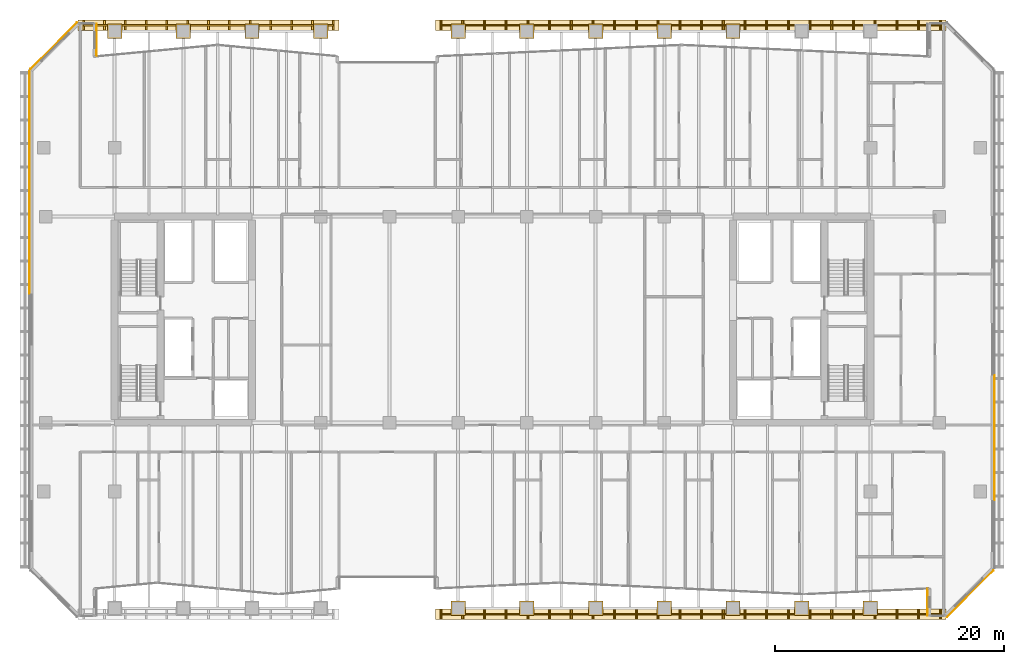
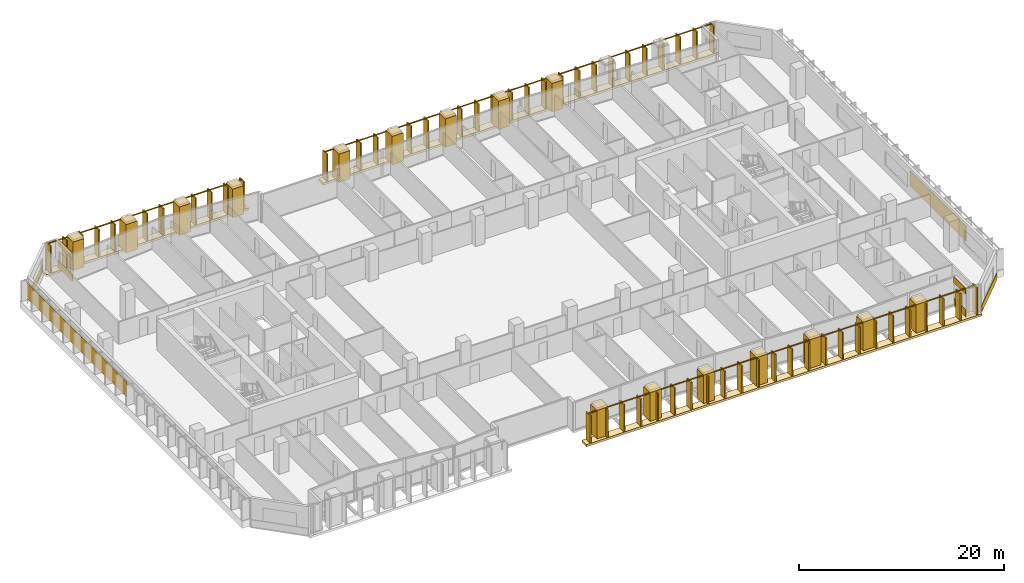
# One storey, part 30 of 32: 27 coverings, 3 railings.
"""IFC4 building model written with IfcOpenShell, lengths in metres."""

from ifc_helpers import new_model, si_unit, direction, frame, origin, origin_2d, place, context, subcontext, project, spatial, rectangle, extrude, material, layer, layer_set, type_object, element, save


model = new_model("IFC4")

# Units and contexts
model_context = context("Model", 3, precision=1e-05, world=origin(), true_north=direction((0.0, 1.0)))
body_context = subcontext(model_context, "Body", "Model", "MODEL_VIEW")
ifc_project = project(units=[si_unit("LENGTHUNIT", "METRE"), si_unit("AREAUNIT", "SQUARE_METRE"), si_unit("VOLUMEUNIT", "CUBIC_METRE"), si_unit("PLANEANGLEUNIT", "RADIAN"), si_unit("MASSUNIT", "GRAM", prefix="KILO")], contexts=[model_context])

# Site, building, storey
site_placement = place(None, origin())
site = spatial("IfcSite", under=ifc_project, at=site_placement, CompositionType="ELEMENT")
building_placement = place(site_placement, origin())
building = spatial("IfcBuilding", under=site, at=building_placement, Name="Tanjung Sevakor Pilgrim Tower", CompositionType="ELEMENT")
storey_placement = place(building_placement, frame((0.0, 0.0, 62.3701171875)))
storey = spatial("IfcBuildingStorey", under=building, at=storey_placement, Name="L17", CompositionType="ELEMENT", Elevation=62.3701171875)

# Coverings
ifc_material_1 = material(Name="Reconstructed Limestone Cladding", Category="masonry")
ifc_layer = layer(ifc_material_1, 0.044921875)
ifc_layer_set = layer_set([ifc_layer], Name="COV-CLAD-LIMESTONE")
covering_type = type_object("IfcCoveringType", Name="COV-CLAD-LIMESTONE", PredefinedType="CLADDING", material=ifc_layer_set)
covering_1_placement = place(storey_placement, frame((94.9775390625, 8.933349609375, 0.009765625), z_axis=(0.0, 0.0, 1.0), x_axis=(0.0, -1.0, 0.0)))
element("IfcCovering", 1, at=covering_1_placement, inside=storey, type_object=covering_type, Name="L17 Warm Limestone Sill Spandrel EW-L17-MAIN-14-1", PredefinedType="CLADDING", context=body_context, shape_type="SweptSolid", body=[
    extrude(rectangle(XDim=2.306640625, YDim=0.044921875, at=origin_2d()), origin(), (0.0, 0.0, 1.0), 0.840087890625),
])
covering_2_placement = place(storey_placement, frame((94.9775390625, 8.933349609375, 2.65966796875), z_axis=(0.0, 0.0, 1.0), x_axis=(0.0, -1.0, 0.0)))
element("IfcCovering", 2, at=covering_2_placement, inside=storey, type_object=covering_type, Name="L17 Warm Limestone Cornice Spandrel EW-L17-MAIN-14", PredefinedType="CLADDING", context=body_context, shape_type="SweptSolid", body=[
    extrude(rectangle(XDim=2.3466796875, YDim=0.044921875, at=origin_2d()), origin(), (0.0, 0.0, 1.0), 0.739990234375),
])
covering_3_placement = place(storey_placement, frame((98.7158203125, 9.68408203125, 0.009765625), z_axis=(0.0, 0.0, 1.0), x_axis=(0.707106781187, 0.707106781187, 0.0)))
element("IfcCovering", 3, at=covering_3_placement, inside=storey, type_object=covering_type, Name="L17 Warm Limestone Sill Spandrel EW-CHM-L17-MAIN-15-1", PredefinedType="CLADDING", context=body_context, shape_type="SweptSolid", body=[
    extrude(rectangle(XDim=5.74365234375, YDim=0.044921875, at=origin_2d()), origin(), (0.0, 0.0, 1.0), 0.840087890625),
])
covering_4_placement = place(storey_placement, frame((100.822509765625, 23.28955078125, 0.849853515625), z_axis=(0.0, 0.0, 1.0), x_axis=(0.0, 1.0, 0.0)))
element("IfcCovering", 4, at=covering_4_placement, inside=storey, type_object=covering_type, Name="L17 Warm Limestone Pier Panel EW-L17-MAIN-17-1", PredefinedType="CLADDING", context=body_context, shape_type="SweptSolid", body=[
    extrude(rectangle(XDim=10.94091796875, YDim=0.044921875, at=origin_2d()), origin(), (0.0, 0.0, 1.0), 1.81005859375),
])
covering_5_placement = place(storey_placement, frame((22.422607421875, 58.01318359375, 0.009765625), z_axis=(0.0, 0.0, 1.0), x_axis=(0.0, 1.0, 0.0)))
element("IfcCovering", 5, at=covering_5_placement, inside=storey, type_object=covering_type, Name="L17 Warm Limestone Sill Spandrel EW-L17-MAIN-32-1", PredefinedType="CLADDING", context=body_context, shape_type="SweptSolid", body=[
    extrude(rectangle(XDim=2.813720703125, YDim=0.044921875, at=origin_2d()), origin(), (0.0, 0.0, 1.0), 0.840087890625),
])
covering_6_placement = place(storey_placement, frame((22.422607421875, 58.01318359375, 2.65966796875), z_axis=(0.0, 0.0, 1.0), x_axis=(0.0, 1.0, 0.0)))
element("IfcCovering", 6, at=covering_6_placement, inside=storey, type_object=covering_type, Name="L17 Warm Limestone Cornice Spandrel EW-L17-MAIN-32", PredefinedType="CLADDING", context=body_context, shape_type="SweptSolid", body=[
    extrude(rectangle(XDim=2.853759765625, YDim=0.044921875, at=origin_2d()), origin(), (0.0, 0.0, 1.0), 0.739990234375),
])
covering_7_placement = place(storey_placement, frame((18.68408203125, 57.515869140625, 0.009765625), z_axis=(0.0, 0.0, 1.0), x_axis=(-0.707106781187, -0.707106781187, 0.0)))
element("IfcCovering", 7, at=covering_7_placement, inside=storey, type_object=covering_type, Name="L17 Warm Limestone Sill Spandrel EW-CHM-L17-MAIN-33-1", PredefinedType="CLADDING", context=body_context, shape_type="SweptSolid", body=[
    extrude(rectangle(XDim=5.74365234375, YDim=0.044921875, at=origin_2d()), origin(), (0.0, 0.0, 1.0), 0.840087890625),
])
covering_8_placement = place(storey_placement, frame((16.577392578125, 45.575927734375, 0.849853515625), z_axis=(0.0, 0.0, 1.0), x_axis=(0.0, -1.0, 0.0)))
element("IfcCovering", 8, at=covering_8_placement, inside=storey, type_object=covering_type, Name="L17 Warm Limestone Pier Panel EW-L17-MAIN-35-1", PredefinedType="CLADDING", context=body_context, shape_type="SweptSolid", body=[
    extrude(rectangle(XDim=19.451904296875, YDim=0.044921875, at=origin_2d()), origin(), (0.0, 0.0, 1.0), 1.81005859375),
])
for number, where, z_axis, x_axis, name in (
    (9, (24.0, 58.800048828125, 0.009765625), (0.0, 0.0, 1.0), (1.0, 0.0, 0.0), "L17 Colonnade Pier Limestone Casing 26"),
    (10, (30.0, 58.800048828125, 0.009765625), (0.0, 0.0, 1.0), (1.0, 0.0, 0.0), "L17 Colonnade Pier Limestone Casing 28"),
    (11, (36.0, 58.800048828125, 0.009765625), (0.0, 0.0, 1.0), (1.0, 0.0, 0.0), "L17 Colonnade Pier Limestone Casing 30"),
    (12, (42.0, 58.800048828125, 0.009765625), (0.0, 0.0, 1.0), (1.0, 0.0, 0.0), "L17 Colonnade Pier Limestone Casing 32"),
    (13, (54.0, 8.39990234375, 0.009765625), (0.0, 0.0, 1.0), (1.0, 0.0, 0.0), "L17 Colonnade Pier Limestone Casing 33"),
    (14, (54.0, 58.800048828125, 0.009765625), (0.0, 0.0, 1.0), (1.0, 0.0, 0.0), "L17 Colonnade Pier Limestone Casing 34"),
    (15, (60.0, 8.39990234375, 0.009765625), (0.0, 0.0, 1.0), (1.0, 0.0, 0.0), "L17 Colonnade Pier Limestone Casing 35"),
    (16, (60.0, 58.800048828125, 0.009765625), (0.0, 0.0, 1.0), (1.0, 0.0, 0.0), "L17 Colonnade Pier Limestone Casing 36"),
    (17, (66.0, 8.39990234375, 0.009765625), (0.0, 0.0, 1.0), (1.0, 0.0, 0.0), "L17 Colonnade Pier Limestone Casing 37"),
    (18, (66.0, 58.800048828125, 0.009765625), (0.0, 0.0, 1.0), (1.0, 0.0, 0.0), "L17 Colonnade Pier Limestone Casing 38"),
    (19, (72.0, 8.39990234375, 0.009765625), (0.0, 0.0, 1.0), (1.0, 0.0, 0.0), "L17 Colonnade Pier Limestone Casing 39"),
    (20, (72.0, 58.800048828125, 0.009765625), (0.0, 0.0, 1.0), (1.0, 0.0, 0.0), "L17 Colonnade Pier Limestone Casing 40"),
    (21, (78.0, 8.39990234375, 0.009765625), (0.0, 0.0, 1.0), (1.0, 0.0, 0.0), "L17 Colonnade Pier Limestone Casing 41"),
    (22, (78.0, 58.800048828125, 0.009765625), (0.0, 0.0, 1.0), (1.0, 0.0, 0.0), "L17 Colonnade Pier Limestone Casing 42"),
    (23, (84.0, 8.39990234375, 0.009765625), (0.0, 0.0, 1.0), (1.0, 0.0, 0.0), "L17 Colonnade Pier Limestone Casing 43"),
    (24, (90.0, 8.39990234375, 0.009765625), (0.0, 0.0, 1.0), (1.0, 0.0, 0.0), "L17 Colonnade Pier Limestone Casing 45"),
):
    element("IfcCovering", number, at=place(storey_placement, frame(where, z_axis=z_axis, x_axis=x_axis)), inside=storey, type_object=covering_type, Name=name, PredefinedType="CLADDING", context=body_context, shape_type="SweptSolid", body=[
        extrude(rectangle(XDim=1.260009765625, YDim=1.260009765625, at=origin_2d()), origin(), (0.0, 0.0, 1.0), 3.389892578125),
    ])
covering_9_placement = place(storey_placement, frame((32.199951171875, 59.320068359375, -0.25), z_axis=(0.0, 0.0, 1.0), x_axis=(1.0, 0.0, 0.0)))
element("IfcCovering", 25, at=covering_9_placement, inside=storey, type_object=covering_type, Name="L17 S-Curve Outer Fin Tie Sill NW", PredefinedType="CLADDING", context=body_context, shape_type="SweptSolid", body=[
    extrude(rectangle(XDim=22.800048828125, YDim=0.89990234375, at=origin_2d()), origin(), (0.0, 0.0, 1.0), 0.260009765625),
])
for number, where, z_axis, x_axis, name in (
    (26, (74.300048828125, 7.8798828125, -0.25), (0.0, 0.0, 1.0), (1.0, 0.0, 0.0), "L17 S-Curve Outer Fin Tie Sill SE"),
    (27, (74.300048828125, 59.320068359375, -0.25), (0.0, 0.0, 1.0), (1.0, 0.0, 0.0), "L17 S-Curve Outer Fin Tie Sill NE"),
):
    element("IfcCovering", number, at=place(storey_placement, frame(where, z_axis=z_axis, x_axis=x_axis)), inside=storey, type_object=covering_type, Name=name, PredefinedType="CLADDING", context=body_context, shape_type="SweptSolid", body=[
        extrude(rectangle(XDim=44.60009765625, YDim=0.89990234375, at=origin_2d()), origin(), (0.0, 0.0, 1.0), 0.260009765625),
    ])

# Railings
ifc_material_2 = material(Name="Anodised Bronze Aluminium 6063-T6", Category="aluminium")
railing_type = type_object("IfcRailingType", Name="RL-FIN-SCREEN", PredefinedType="BALUSTRADE", material=ifc_material_2)
railing_1_placement = place(storey_placement, frame((21.300048828125, 59.320068359375, 0.0)))
element("IfcRailing", 28, at=railing_1_placement, inside=storey, type_object=railing_type, Name="L17 Vertical Bronze-Gold Solar Fin Screen FN-SCGAP-L17-NW-1", PredefinedType="BALUSTRADE", context=body_context, shape_type="SweptSolid", body=[
    extrude(rectangle(XDim=0.105, YDim=0.105), frame((0.0, 0.0, 3.317626953125), z_axis=(1.0, 0.0, 0.0), x_axis=(0.0, 1.0, 0.0)), (0.0, 0.0, 1.0), 21.800048828125),
    extrude(rectangle(XDim=0.14, YDim=0.85), origin(), (0.0, 0.0, 1.0), 3.26513671875),
    extrude(rectangle(XDim=0.14, YDim=0.85), frame((1.816650390625, 0.0, 0.0)), (0.0, 0.0, 1.0), 3.26513671875),
    extrude(rectangle(XDim=0.14, YDim=0.85), frame((3.63330078125, 0.0, 0.0)), (0.0, 0.0, 1.0), 3.26513671875),
    extrude(rectangle(XDim=0.14, YDim=0.85), frame((5.449951171875, 0.0, 0.0)), (0.0, 0.0, 1.0), 3.26513671875),
    extrude(rectangle(XDim=0.14, YDim=0.85), frame((7.2666015625, 0.0, 0.0)), (0.0, 0.0, 1.0), 3.26513671875),
    extrude(rectangle(XDim=0.14, YDim=0.85), frame((9.083251953125, 0.0, 0.0)), (0.0, 0.0, 1.0), 3.26513671875),
    extrude(rectangle(XDim=0.14, YDim=0.85), frame((10.89990234375, 0.0, 0.0)), (0.0, 0.0, 1.0), 3.26513671875),
    extrude(rectangle(XDim=0.14, YDim=0.85), frame((12.716796875, 0.0, 0.0)), (0.0, 0.0, 1.0), 3.26513671875),
    extrude(rectangle(XDim=0.14, YDim=0.85), frame((14.533447265625, 0.0, 0.0)), (0.0, 0.0, 1.0), 3.26513671875),
    extrude(rectangle(XDim=0.14, YDim=0.85), frame((16.35009765625, 0.0, 0.0)), (0.0, 0.0, 1.0), 3.26513671875),
    extrude(rectangle(XDim=0.14, YDim=0.85), frame((18.166748046875, 0.0, 0.0)), (0.0, 0.0, 1.0), 3.26513671875),
    extrude(rectangle(XDim=0.14, YDim=0.85), frame((19.9833984375, 0.0, 0.0)), (0.0, 0.0, 1.0), 3.26513671875),
    extrude(rectangle(XDim=0.14, YDim=0.85), frame((21.800048828125, 0.0, 0.0)), (0.0, 0.0, 1.0), 3.26513671875),
])
railing_2_placement = place(storey_placement, frame((52.5, 7.8798828125, 0.0)))
element("IfcRailing", 29, at=railing_2_placement, inside=storey, type_object=railing_type, Name="L17 Vertical Bronze-Gold Solar Fin Screen FN-SCGAP-L17-SE-1", PredefinedType="BALUSTRADE", context=body_context, shape_type="SweptSolid", body=[
    extrude(rectangle(XDim=0.105, YDim=0.105), frame((0.0, 0.0, 3.317626953125), z_axis=(1.0, 0.0, 0.0), x_axis=(0.0, 1.0, 0.0)), (0.0, 0.0, 1.0), 43.60009765625),
    extrude(rectangle(XDim=0.14, YDim=0.85), origin(), (0.0, 0.0, 1.0), 3.26513671875),
    extrude(rectangle(XDim=0.14, YDim=0.85), frame((1.895751953125, 0.0, 0.0)), (0.0, 0.0, 1.0), 3.26513671875),
    extrude(rectangle(XDim=0.14, YDim=0.85), frame((3.791259765625, 0.0, 0.0)), (0.0, 0.0, 1.0), 3.26513671875),
    extrude(rectangle(XDim=0.14, YDim=0.85), frame((5.68701171875, 0.0, 0.0)), (0.0, 0.0, 1.0), 3.26513671875),
    extrude(rectangle(XDim=0.14, YDim=0.85), frame((7.58251953125, 0.0, 0.0)), (0.0, 0.0, 1.0), 3.26513671875),
    extrude(rectangle(XDim=0.14, YDim=0.85), frame((9.478271484375, 0.0, 0.0)), (0.0, 0.0, 1.0), 3.26513671875),
    extrude(rectangle(XDim=0.14, YDim=0.85), frame((11.3740234375, 0.0, 0.0)), (0.0, 0.0, 1.0), 3.26513671875),
    extrude(rectangle(XDim=0.14, YDim=0.85), frame((13.26953125, 0.0, 0.0)), (0.0, 0.0, 1.0), 3.26513671875),
    extrude(rectangle(XDim=0.14, YDim=0.85), frame((15.165283203125, 0.0, 0.0)), (0.0, 0.0, 1.0), 3.26513671875),
    extrude(rectangle(XDim=0.14, YDim=0.85), frame((17.060791015625, 0.0, 0.0)), (0.0, 0.0, 1.0), 3.26513671875),
    extrude(rectangle(XDim=0.14, YDim=0.85), frame((18.95654296875, 0.0, 0.0)), (0.0, 0.0, 1.0), 3.26513671875),
    extrude(rectangle(XDim=0.14, YDim=0.85), frame((20.852294921875, 0.0, 0.0)), (0.0, 0.0, 1.0), 3.26513671875),
    extrude(rectangle(XDim=0.14, YDim=0.85), frame((22.747802734375, 0.0, 0.0)), (0.0, 0.0, 1.0), 3.26513671875),
    extrude(rectangle(XDim=0.14, YDim=0.85), frame((24.6435546875, 0.0, 0.0)), (0.0, 0.0, 1.0), 3.26513671875),
    extrude(rectangle(XDim=0.14, YDim=0.85), frame((26.539306640625, 0.0, 0.0)), (0.0, 0.0, 1.0), 3.26513671875),
    extrude(rectangle(XDim=0.14, YDim=0.85), frame((28.434814453125, 0.0, 0.0)), (0.0, 0.0, 1.0), 3.26513671875),
    extrude(rectangle(XDim=0.14, YDim=0.85), frame((30.33056640625, 0.0, 0.0)), (0.0, 0.0, 1.0), 3.26513671875),
    extrude(rectangle(XDim=0.14, YDim=0.85), frame((32.22607421875, 0.0, 0.0)), (0.0, 0.0, 1.0), 3.26513671875),
    extrude(rectangle(XDim=0.14, YDim=0.85), frame((34.121826171875, 0.0, 0.0)), (0.0, 0.0, 1.0), 3.26513671875),
    extrude(rectangle(XDim=0.14, YDim=0.85), frame((36.017578125, 0.0, 0.0)), (0.0, 0.0, 1.0), 3.26513671875),
    extrude(rectangle(XDim=0.14, YDim=0.85), frame((37.9130859375, 0.0, 0.0)), (0.0, 0.0, 1.0), 3.26513671875),
    extrude(rectangle(XDim=0.14, YDim=0.85), frame((39.808837890625, 0.0, 0.0)), (0.0, 0.0, 1.0), 3.26513671875),
    extrude(rectangle(XDim=0.14, YDim=0.85), frame((41.704345703125, 0.0, 0.0)), (0.0, 0.0, 1.0), 3.26513671875),
    extrude(rectangle(XDim=0.14, YDim=0.85), frame((43.60009765625, 0.0, 0.0)), (0.0, 0.0, 1.0), 3.26513671875),
])
railing_3_placement = place(storey_placement, frame((52.5, 59.320068359375, 0.0)))
element("IfcRailing", 30, at=railing_3_placement, inside=storey, type_object=railing_type, Name="L17 Vertical Bronze-Gold Solar Fin Screen FN-SCGAP-L17-NE-1", PredefinedType="BALUSTRADE", context=body_context, shape_type="SweptSolid", body=[
    extrude(rectangle(XDim=0.105, YDim=0.105), frame((0.0, 0.0, 3.317626953125), z_axis=(1.0, 0.0, 0.0), x_axis=(0.0, 1.0, 0.0)), (0.0, 0.0, 1.0), 43.60009765625),
    extrude(rectangle(XDim=0.14, YDim=0.85), origin(), (0.0, 0.0, 1.0), 3.26513671875),
    extrude(rectangle(XDim=0.14, YDim=0.85), frame((1.895751953125, 0.0, 0.0)), (0.0, 0.0, 1.0), 3.26513671875),
    extrude(rectangle(XDim=0.14, YDim=0.85), frame((3.791259765625, 0.0, 0.0)), (0.0, 0.0, 1.0), 3.26513671875),
    extrude(rectangle(XDim=0.14, YDim=0.85), frame((5.68701171875, 0.0, 0.0)), (0.0, 0.0, 1.0), 3.26513671875),
    extrude(rectangle(XDim=0.14, YDim=0.85), frame((7.58251953125, 0.0, 0.0)), (0.0, 0.0, 1.0), 3.26513671875),
    extrude(rectangle(XDim=0.14, YDim=0.85), frame((9.478271484375, 0.0, 0.0)), (0.0, 0.0, 1.0), 3.26513671875),
    extrude(rectangle(XDim=0.14, YDim=0.85), frame((11.3740234375, 0.0, 0.0)), (0.0, 0.0, 1.0), 3.26513671875),
    extrude(rectangle(XDim=0.14, YDim=0.85), frame((13.26953125, 0.0, 0.0)), (0.0, 0.0, 1.0), 3.26513671875),
    extrude(rectangle(XDim=0.14, YDim=0.85), frame((15.165283203125, 0.0, 0.0)), (0.0, 0.0, 1.0), 3.26513671875),
    extrude(rectangle(XDim=0.14, YDim=0.85), frame((17.060791015625, 0.0, 0.0)), (0.0, 0.0, 1.0), 3.26513671875),
    extrude(rectangle(XDim=0.14, YDim=0.85), frame((18.95654296875, 0.0, 0.0)), (0.0, 0.0, 1.0), 3.26513671875),
    extrude(rectangle(XDim=0.14, YDim=0.85), frame((20.852294921875, 0.0, 0.0)), (0.0, 0.0, 1.0), 3.26513671875),
    extrude(rectangle(XDim=0.14, YDim=0.85), frame((22.747802734375, 0.0, 0.0)), (0.0, 0.0, 1.0), 3.26513671875),
    extrude(rectangle(XDim=0.14, YDim=0.85), frame((24.6435546875, 0.0, 0.0)), (0.0, 0.0, 1.0), 3.26513671875),
    extrude(rectangle(XDim=0.14, YDim=0.85), frame((26.539306640625, 0.0, 0.0)), (0.0, 0.0, 1.0), 3.26513671875),
    extrude(rectangle(XDim=0.14, YDim=0.85), frame((28.434814453125, 0.0, 0.0)), (0.0, 0.0, 1.0), 3.26513671875),
    extrude(rectangle(XDim=0.14, YDim=0.85), frame((30.33056640625, 0.0, 0.0)), (0.0, 0.0, 1.0), 3.26513671875),
    extrude(rectangle(XDim=0.14, YDim=0.85), frame((32.22607421875, 0.0, 0.0)), (0.0, 0.0, 1.0), 3.26513671875),
    extrude(rectangle(XDim=0.14, YDim=0.85), frame((34.121826171875, 0.0, 0.0)), (0.0, 0.0, 1.0), 3.26513671875),
    extrude(rectangle(XDim=0.14, YDim=0.85), frame((36.017578125, 0.0, 0.0)), (0.0, 0.0, 1.0), 3.26513671875),
    extrude(rectangle(XDim=0.14, YDim=0.85), frame((37.9130859375, 0.0, 0.0)), (0.0, 0.0, 1.0), 3.26513671875),
    extrude(rectangle(XDim=0.14, YDim=0.85), frame((39.808837890625, 0.0, 0.0)), (0.0, 0.0, 1.0), 3.26513671875),
    extrude(rectangle(XDim=0.14, YDim=0.85), frame((41.704345703125, 0.0, 0.0)), (0.0, 0.0, 1.0), 3.26513671875),
    extrude(rectangle(XDim=0.14, YDim=0.85), frame((43.60009765625, 0.0, 0.0)), (0.0, 0.0, 1.0), 3.26513671875),
])

save(model, "model.ifc")
